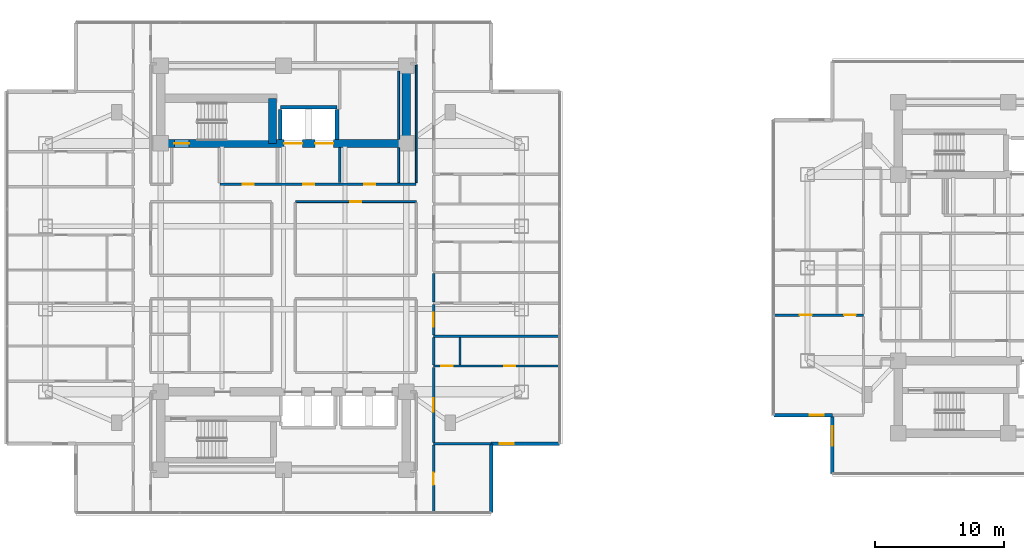
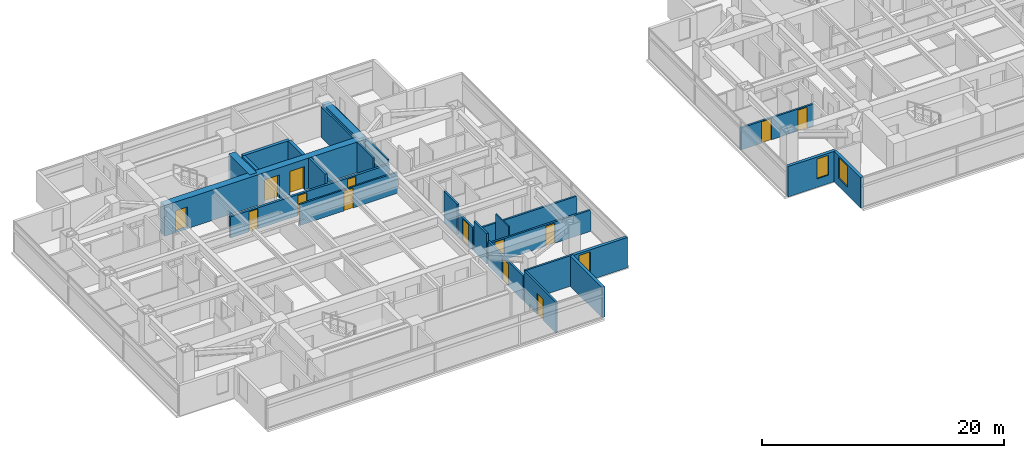
# One storey, part 14 of 24: 26 walls, 14 doors, 3 windows, 17 openings.
"""IFC4 building model written with IfcOpenShell, lengths in metres."""

from ifc_helpers import new_model, si_unit, direction, frame, frame_2d, origin, place, context, subcontext, project, spatial, rectangle, extrude, material, layer, layer_set, type_object, element, fill, save


model = new_model("IFC4")

# Units and contexts
model_context = context("Model", 3, precision=1e-05, world=origin(), true_north=direction((0.0, 1.0)))
body_context = subcontext(model_context, "Body", "Model", "MODEL_VIEW")
ifc_project = project(units=[si_unit("LENGTHUNIT", "METRE"), si_unit("AREAUNIT", "SQUARE_METRE"), si_unit("VOLUMEUNIT", "CUBIC_METRE"), si_unit("PLANEANGLEUNIT", "RADIAN"), si_unit("MASSUNIT", "GRAM", prefix="KILO")], contexts=[model_context])

# Site, building, storey
site_placement = place(None, origin())
site = spatial("IfcSite", under=ifc_project, at=site_placement, CompositionType="ELEMENT")
building_placement = place(site_placement, origin())
building = spatial("IfcBuilding", under=site, at=building_placement, Name="Mirazonda Arch Towers", CompositionType="ELEMENT")
storey_placement = place(building_placement, frame((0.0, 0.0, 101.60009765625)))
storey = spatial("IfcBuildingStorey", under=building, at=storey_placement, Name="L28", CompositionType="ELEMENT", Elevation=101.60009765625)

# Wall
ifc_material_1 = material(Name="Concrete C60/75", Category="concrete")
ifc_layer_1 = layer(ifc_material_1, 0.64990234375, Name="WALL-CORE-650")
ifc_layer_set_1 = layer_set([ifc_layer_1], Name="Concrete C60/75")
wall_type_1 = type_object("IfcWallType", Name="WALL-CORE-650", PredefinedType="SHEAR", material=ifc_layer_set_1)
wall_1_placement = place(storey_placement, frame((30.0, 37.60009765625, 0.0), z_axis=(0.0, 0.0, 1.0), x_axis=(0.0, 1.0, 0.0)))
element("IfcWall", 1, at=wall_1_placement, inside=storey, type_object=wall_type_1, Name="L28 T1N-E Core Shear Wall", PredefinedType="SHEAR", context=body_context, shape_type="SweptSolid", body=[
    extrude(rectangle(XDim=6.0, YDim=0.64990234375, at=frame_2d((3.0, 0.0))), origin(), (0.0, 0.0, 1.0), 3.079833984375),
])

# Wall, openings, doors
wall_2_placement = place(storey_placement, frame((11.0, 37.60009765625, 0.0), z_axis=(0.0, 0.0, 1.0), x_axis=(1.0, 0.0, 0.0)))
wall_2 = element("IfcWall", 2, at=wall_2_placement, inside=storey, type_object=wall_type_1, Name="L28 T1N-S Core Shear Wall", PredefinedType="SHEAR", context=body_context, shape_type="SweptSolid", body=[
    extrude(rectangle(XDim=19.0, YDim=0.64990234375, at=frame_2d((9.5, 0.0))), origin(), (0.0, 0.0, 1.0), 3.079833984375),
])
opening_1_placement = place(wall_2_placement, frame((1.06005859375, 0.0, 0.0)))
opening_1 = element("IfcOpeningElement", 3, at=opening_1_placement, cuts=wall_2, Name="Opening DR-135", PredefinedType="OPENING", context=body_context, shape_type="SweptSolid", body=[
    extrude(rectangle(XDim=1.14990234375, YDim=2.199951171875, at=frame_2d((0.574951171875, 1.10009765625))), frame((0.0, 0.3349609375, 0.0), z_axis=(0.0, -1.0, 0.0), x_axis=(1.0, 0.0, 0.0)), (0.0, 0.0, 1.0), 0.669921875),
])
opening_2_placement = place(wall_2_placement, frame((9.550048828125, 0.0, 0.0)))
opening_2 = element("IfcOpeningElement", 4, at=opening_2_placement, cuts=wall_2, Name="Opening LD-112", PredefinedType="OPENING", context=body_context, shape_type="SweptSolid", body=[
    extrude(rectangle(XDim=1.39990234375, YDim=2.35009765625, at=frame_2d((0.699951171875, 1.175048828125))), frame((0.0, 0.3349609375, 0.0), z_axis=(0.0, -1.0, 0.0), x_axis=(1.0, 0.0, 0.0)), (0.0, 0.0, 1.0), 0.669921875),
])
opening_3_placement = place(wall_2_placement, frame((11.949951171875, 0.0, 0.0)))
opening_3 = element("IfcOpeningElement", 5, at=opening_3_placement, cuts=wall_2, Name="Opening LD-112", PredefinedType="OPENING", context=body_context, shape_type="SweptSolid", body=[
    extrude(rectangle(XDim=1.39990234375, YDim=2.35009765625, at=frame_2d((0.699951171875, 1.175048828125))), frame((0.0, 0.3349609375, 0.0), z_axis=(0.0, -1.0, 0.0), x_axis=(1.0, 0.0, 0.0)), (0.0, 0.0, 1.0), 0.669921875),
])
ifc_material_2 = material(Name="Architectural Brushed Steel S355", Category="steel")
door_type_1 = type_object("IfcDoorType", Name="DOOR-LIFT-FFL-1400", OperationType="NOTDEFINED", PredefinedType="DOOR", material=ifc_material_2)
door_1_placement = place(opening_2_placement, origin())
door_1 = element("IfcDoor", 6, at=door_1_placement, inside=storey, type_object=door_type_1, Name="L28 Lift Landing Sliding Door FFL-T1", OperationType="DOUBLE_DOOR_SLIDING", OverallHeight=2.35009765625, OverallWidth=1.39990234375, PredefinedType="DOOR", context=body_context, shape_type="SweptSolid", body=[
    extrude(rectangle(XDim=1.39990234375, YDim=2.35009765625, at=frame_2d((0.699951171875, 1.175048828125))), frame((0.0, 0.02490234375, 0.0), z_axis=(0.0, -1.0, 0.0), x_axis=(1.0, 0.0, 0.0)), (0.0, 0.0, 1.0), 0.050048828125),
])
fill(opening_2, door_1)
door_2_placement = place(opening_3_placement, origin())
door_2 = element("IfcDoor", 7, at=door_2_placement, inside=storey, type_object=door_type_1, Name="L28 Lift Landing Sliding Door SVL-T1", OperationType="DOUBLE_DOOR_SLIDING", OverallHeight=2.35009765625, OverallWidth=1.39990234375, PredefinedType="DOOR", context=body_context, shape_type="SweptSolid", body=[
    extrude(rectangle(XDim=1.39990234375, YDim=2.35009765625, at=frame_2d((0.699951171875, 1.175048828125))), frame((0.0, 0.02490234375, 0.0), z_axis=(0.0, -1.0, 0.0), x_axis=(1.0, 0.0, 0.0)), (0.0, 0.0, 1.0), 0.050048828125),
])
fill(opening_3, door_2)
door_type_2 = type_object("IfcDoorType", Name="DOOR-STAIR-FD90-1150", OperationType="NOTDEFINED", PredefinedType="DOOR", material=ifc_material_2)
door_3_placement = place(opening_1_placement, origin())
door_3 = element("IfcDoor", 8, at=door_3_placement, inside=storey, type_object=door_type_2, Name="L28 Protected Exit Stair North Door", OperationType="SINGLE_SWING_LEFT", OverallHeight=2.199951171875, OverallWidth=1.14990234375, PredefinedType="DOOR", context=body_context, shape_type="SweptSolid", body=[
    extrude(rectangle(XDim=1.14990234375, YDim=2.199951171875, at=frame_2d((0.574951171875, 1.10009765625))), frame((0.0, 0.02490234375, 0.0), z_axis=(0.0, -1.0, 0.0), x_axis=(1.0, 0.0, 0.0)), (0.0, 0.0, 1.0), 0.050048828125),
])
fill(opening_1, door_3)

# Wall
wall_3_placement = place(storey_placement, frame((19.64990234375, 37.60009765625, 0.0), z_axis=(0.0, 0.0, 1.0), x_axis=(0.0, 1.0, 0.0)))
element("IfcWall", 9, at=wall_3_placement, inside=storey, type_object=wall_type_1, Name="L28 T1N-STE Core Shear Wall", PredefinedType="SHEAR", context=body_context, shape_type="SweptSolid", body=[
    extrude(rectangle(XDim=3.492919921875, YDim=0.64990234375, at=frame_2d((1.74658203125, 0.0))), origin(), (0.0, 0.0, 1.0), 3.079833984375),
])

# Wall, opening, window
ifc_material_3 = material(Name="Precast Concrete C40/50", Category="concrete")
ifc_layer_2 = layer(ifc_material_3, 0.280029296875, Name="WALL-EXT-WALL-280")
ifc_layer_set_2 = layer_set([ifc_layer_2], Name="Precast Concrete C40/50")
wall_type_2 = type_object("IfcWallType", Name="WALL-EXT-WALL-280", PredefinedType="SOLIDWALL", material=ifc_layer_set_2)
wall_4_placement = place(storey_placement, frame((36.544921875, 14.383056640625, 0.0), z_axis=(0.0, 0.0, 1.0), x_axis=(1.0, 0.0, 0.0)))
wall_4 = element("IfcWall", 10, at=wall_4_placement, inside=storey, type_object=wall_type_2, Name="L28 T1 Corner Notch Return Wall WL-L28-T1-CSE1", PredefinedType="SOLIDWALL", context=body_context, shape_type="SweptSolid", body=[
    extrude(rectangle(XDim=5.30517578125, YDim=0.280029296875, at=frame_2d((2.652587890625, 0.0))), origin(), (0.0, 0.0, 1.0), 3.059814453125),
])
opening_4_placement = place(wall_4_placement, frame((0.64990234375, 0.0, 0.85009765625)))
opening_4 = element("IfcOpeningElement", 11, at=opening_4_placement, cuts=wall_4, Name="Opening WN-108", PredefinedType="OPENING", context=body_context, shape_type="SweptSolid", body=[
    extrude(rectangle(XDim=1.10009765625, YDim=2.0, at=frame_2d((0.550048828125, 1.0))), frame((0.0, 0.14990234375, 0.0), z_axis=(0.0, -1.0, 0.0), x_axis=(1.0, 0.0, 0.0)), (0.0, 0.0, 1.0), 0.300048828125),
])
ifc_material_4 = material(Name="Insulated Low-E Solar Glass", Category="glass")
window_type_1 = type_object("IfcWindowType", Name="WIN-NOTCH-1100x2000", PartitioningType="SINGLE_PANEL", PredefinedType="WINDOW", material=ifc_material_4)
window_1_placement = place(opening_4_placement, origin())
window_1 = element("IfcWindow", 12, at=window_1_placement, inside=storey, type_object=window_type_1, Name="L28 Punched Facade Window WN-L28-T1-CSE1", OverallHeight=2.0, OverallWidth=1.10009765625, PartitioningType="SINGLE_PANEL", PredefinedType="WINDOW", context=body_context, shape_type="SweptSolid", body=[
    extrude(rectangle(XDim=1.10009765625, YDim=2.0, at=frame_2d((0.550048828125, 1.0))), frame((0.0, 0.030029296875, 0.0), z_axis=(0.0, -1.0, 0.0), x_axis=(1.0, 0.0, 0.0)), (0.0, 0.0, 1.0), 0.06005859375),
])
fill(opening_4, window_1)

# Wall
wall_5_placement = place(storey_placement, frame((36.544921875, 9.077880859375, 0.0), z_axis=(0.0, 0.0, 1.0), x_axis=(0.0, 1.0, 0.0)))
element("IfcWall", 13, at=wall_5_placement, inside=storey, type_object=wall_type_2, Name="L28 T1 Corner Notch Return Wall WL-L28-T1-CSE2", PredefinedType="SOLIDWALL", context=body_context, shape_type="SweptSolid", body=[
    extrude(rectangle(XDim=5.30517578125, YDim=0.280029296875, at=frame_2d((2.652587890625, 0.0))), origin(), (0.0, 0.0, 1.0), 3.059814453125),
])

# Wall, opening, window
wall_6_placement = place(storey_placement, frame((62.921875, 16.585693359375, 0.0), z_axis=(0.0, 0.0, 1.0), x_axis=(0.0, -1.0, 0.0)))
wall_6 = element("IfcWall", 14, at=wall_6_placement, inside=storey, type_object=wall_type_2, Name="L28 T2 Notched SW Corner Wall WL-L28-T2-CSW", PredefinedType="SOLIDWALL", context=body_context, shape_type="SweptSolid", body=[
    extrude(rectangle(XDim=4.516357421875, YDim=0.280029296875, at=frame_2d((2.25830078125, 0.0))), origin(), (0.0, 0.0, 1.0), 3.059814453125),
])
opening_5_placement = place(wall_6_placement, frame((0.85009765625, 0.0, 0.81005859375)))
opening_5 = element("IfcOpeningElement", 15, at=opening_5_placement, cuts=wall_6, Name="Opening WN-120", PredefinedType="OPENING", context=body_context, shape_type="SweptSolid", body=[
    extrude(rectangle(XDim=1.5, YDim=2.10009765625, at=frame_2d((0.75, 1.050048828125))), frame((0.0, 0.14990234375, 0.0), z_axis=(0.0, -1.0, 0.0), x_axis=(1.0, 0.0, 0.0)), (0.0, 0.0, 1.0), 0.300048828125),
])
window_type_2 = type_object("IfcWindowType", Name="WIN-HTL-1500x2100", PartitioningType="SINGLE_PANEL", PredefinedType="WINDOW", material=ifc_material_4)
window_2_placement = place(opening_5_placement, origin())
window_2 = element("IfcWindow", 16, at=window_2_placement, inside=storey, type_object=window_type_2, Name="L28 Punched Facade Window WN-L28-T2-CSW", OverallHeight=2.10009765625, OverallWidth=1.5, PartitioningType="SINGLE_PANEL", PredefinedType="WINDOW", context=body_context, shape_type="SweptSolid", body=[
    extrude(rectangle(XDim=1.5, YDim=2.10009765625, at=frame_2d((0.75, 1.050048828125))), frame((0.0, 0.030029296875, 0.0), z_axis=(0.0, -1.0, 0.0), x_axis=(1.0, 0.0, 0.0)), (0.0, 0.0, 1.0), 0.06005859375),
])
fill(opening_5, window_2)

wall_7_placement = place(storey_placement, frame((58.405517578125, 16.585693359375, 0.0), z_axis=(0.0, 0.0, 1.0), x_axis=(1.0, 0.0, 0.0)))
wall_7 = element("IfcWall", 17, at=wall_7_placement, inside=storey, type_object=wall_type_2, Name="L28 T2 Corner Notch Return Wall WL-L28-T2-CSW2", PredefinedType="SOLIDWALL", context=body_context, shape_type="SweptSolid", body=[
    extrude(rectangle(XDim=4.516357421875, YDim=0.280029296875, at=frame_2d((2.25830078125, 0.0))), origin(), (0.0, 0.0, 1.0), 3.059814453125),
])
opening_6_placement = place(wall_7_placement, frame((2.76611328125, 0.0, 0.85009765625)))
opening_6 = element("IfcOpeningElement", 18, at=opening_6_placement, cuts=wall_7, Name="Opening WN-108", PredefinedType="OPENING", context=body_context, shape_type="SweptSolid", body=[
    extrude(rectangle(XDim=1.10009765625, YDim=2.0, at=frame_2d((0.550048828125, 1.0))), frame((0.0, 0.14990234375, 0.0), z_axis=(0.0, -1.0, 0.0), x_axis=(1.0, 0.0, 0.0)), (0.0, 0.0, 1.0), 0.300048828125),
])
window_3_placement = place(opening_6_placement, origin())
window_3 = element("IfcWindow", 19, at=window_3_placement, inside=storey, type_object=window_type_1, Name="L28 Punched Facade Window WN-L28-T2-CSW2", OverallHeight=2.0, OverallWidth=1.10009765625, PartitioningType="SINGLE_PANEL", PredefinedType="WINDOW", context=body_context, shape_type="SweptSolid", body=[
    extrude(rectangle(XDim=1.10009765625, YDim=2.0, at=frame_2d((0.550048828125, 1.0))), frame((0.0, 0.030029296875, 0.0), z_axis=(0.0, -1.0, 0.0), x_axis=(1.0, 0.0, 0.0)), (0.0, 0.0, 1.0), 0.06005859375),
])
fill(opening_6, window_3)

# Wall, openings, doors
ifc_material_5 = material(Name="Concrete C40/50", Category="concrete")
ifc_layer_3 = layer(ifc_material_5, 0.219970703125, Name="WALL-FFL-220")
ifc_layer_set_3 = layer_set([ifc_layer_3], Name="Concrete C40/50")
wall_type_3 = type_object("IfcWallType", Name="WALL-FFL-220", PredefinedType="SOLIDWALL", material=ifc_layer_set_3)
wall_8_placement = place(storey_placement, frame((15.590087890625, 34.449951171875, 0.0), z_axis=(0.0, 0.0, 1.0), x_axis=(1.0, 0.0, 0.0)))
wall_8 = element("IfcWall", 20, at=wall_8_placement, inside=storey, type_object=wall_type_3, Name="L28 Interior Partition 053", PredefinedType="SOLIDWALL", context=body_context, shape_type="SweptSolid", body=[
    extrude(rectangle(XDim=15.169921875, YDim=0.219970703125, at=frame_2d((7.5849609375, 0.0))), origin(), (0.0, 0.0, 1.0), 2.1240234375),
])
opening_7_placement = place(wall_8_placement, frame((6.43505859375, 0.0, 0.0)))
opening_7 = element("IfcOpeningElement", 21, at=opening_7_placement, cuts=wall_8, Name="Opening DR-128", PredefinedType="OPENING", context=body_context, shape_type="SweptSolid", body=[
    extrude(rectangle(XDim=0.85009765625, YDim=2.010009765625, at=frame_2d((0.425048828125, 1.0048828125))), frame((0.0, 0.119873046875, 0.0), z_axis=(0.0, -1.0, 0.0), x_axis=(1.0, 0.0, 0.0)), (0.0, 0.0, 1.0), 0.239990234375),
])
opening_8_placement = place(wall_8_placement, frame((11.135009765625, 0.0, 0.0)))
opening_8 = element("IfcOpeningElement", 22, at=opening_8_placement, cuts=wall_8, Name="Opening DR-128", PredefinedType="OPENING", context=body_context, shape_type="SweptSolid", body=[
    extrude(rectangle(XDim=0.85009765625, YDim=2.010009765625, at=frame_2d((0.425048828125, 1.0048828125))), frame((0.0, 0.119873046875, 0.0), z_axis=(0.0, -1.0, 0.0), x_axis=(1.0, 0.0, 0.0)), (0.0, 0.0, 1.0), 0.239990234375),
])
opening_9_placement = place(wall_8_placement, frame((1.77490234375, 0.0, 0.0)))
opening_9 = element("IfcOpeningElement", 23, at=opening_9_placement, cuts=wall_8, Name="Opening DR-128", PredefinedType="OPENING", context=body_context, shape_type="SweptSolid", body=[
    extrude(rectangle(XDim=0.85009765625, YDim=2.010009765625, at=frame_2d((0.425048828125, 1.0048828125))), frame((0.0, 0.119873046875, 0.0), z_axis=(0.0, -1.0, 0.0), x_axis=(1.0, 0.0, 0.0)), (0.0, 0.0, 1.0), 0.239990234375),
])
door_type_3 = type_object("IfcDoorType", Name="DOOR-RISER-FD60-850", OperationType="NOTDEFINED", PredefinedType="DOOR", material=ifc_material_2)
door_4_placement = place(opening_7_placement, origin())
door_4 = element("IfcDoor", 24, at=door_4_placement, inside=storey, type_object=door_type_3, Name="L28 Firefighting Lift Lobby Door", OperationType="SINGLE_SWING_RIGHT", OverallHeight=2.010009765625, OverallWidth=0.85009765625, PredefinedType="DOOR", context=body_context, shape_type="SweptSolid", body=[
    extrude(rectangle(XDim=0.85009765625, YDim=2.010009765625, at=frame_2d((0.425048828125, 1.0048828125))), frame((0.0, 0.02490234375, 0.0), z_axis=(0.0, -1.0, 0.0), x_axis=(1.0, 0.0, 0.0)), (0.0, 0.0, 1.0), 0.050048828125),
])
fill(opening_7, door_4)
door_5_placement = place(opening_8_placement, origin())
door_5 = element("IfcDoor", 25, at=door_5_placement, inside=storey, type_object=door_type_3, Name="L28 Executive Reading Library Door", OperationType="SINGLE_SWING_LEFT", OverallHeight=2.010009765625, OverallWidth=0.85009765625, PredefinedType="DOOR", context=body_context, shape_type="SweptSolid", body=[
    extrude(rectangle(XDim=0.85009765625, YDim=2.010009765625, at=frame_2d((0.425048828125, 1.0048828125))), frame((0.0, 0.02490234375, 0.0), z_axis=(0.0, -1.0, 0.0), x_axis=(1.0, 0.0, 0.0)), (0.0, 0.0, 1.0), 0.050048828125),
])
fill(opening_8, door_5)
door_6_placement = place(opening_9_placement, origin())
door_6 = element("IfcDoor", 26, at=door_6_placement, inside=storey, type_object=door_type_3, Name="L28 Housekeeping Linen Room Door", OperationType="SINGLE_SWING_RIGHT", OverallHeight=2.010009765625, OverallWidth=0.85009765625, PredefinedType="DOOR", context=body_context, shape_type="SweptSolid", body=[
    extrude(rectangle(XDim=0.85009765625, YDim=2.010009765625, at=frame_2d((0.425048828125, 1.0048828125))), frame((0.0, 0.02490234375, 0.0), z_axis=(0.0, -1.0, 0.0), x_axis=(1.0, 0.0, 0.0)), (0.0, 0.0, 1.0), 0.050048828125),
])
fill(opening_9, door_6)

# Wall
wall_9_placement = place(storey_placement, frame((24.85009765625, 34.570068359375, 0.0), z_axis=(0.0, 0.0, 1.0), x_axis=(0.0, 1.0, 0.0)))
element("IfcWall", 27, at=wall_9_placement, inside=storey, type_object=wall_type_3, Name="L28 Interior Partition 106", PredefinedType="SOLIDWALL", context=body_context, shape_type="SweptSolid", body=[
    extrude(rectangle(XDim=2.7099609375, YDim=0.219970703125, at=frame_2d((1.35498046875, 0.0))), origin(), (0.0, 0.0, 1.0), 3.079833984375),
])

# Wall, opening, door
ifc_material_6 = material(Name="Fire-Rated Gypsum Stud Partition")
ifc_layer_4 = layer(ifc_material_6, 0.14990234375, Name="WALL-PART-CORR-150")
ifc_layer_set_4 = layer_set([ifc_layer_4], Name="Fire-Rated Gypsum Stud Partition")
wall_type_4 = type_object("IfcWallType", Name="WALL-PART-CORR-150", PredefinedType="PARTITIONING", material=ifc_layer_set_4)
wall_10_placement = place(storey_placement, frame((21.43994140625, 33.10009765625, 0.0), z_axis=(0.0, 0.0, 1.0), x_axis=(1.0, 0.0, 0.0)))
wall_10 = element("IfcWall", 28, at=wall_10_placement, inside=storey, type_object=wall_type_4, Name="L28 Interior Partition 049", PredefinedType="PARTITIONING", context=body_context, shape_type="SweptSolid", body=[
    extrude(rectangle(XDim=9.320068359375, YDim=0.14990234375, at=frame_2d((4.66015625, 0.0))), origin(), (0.0, 0.0, 1.0), 2.1240234375),
])
opening_10_placement = place(wall_10_placement, frame((4.235107421875, 0.0, 0.0)))
opening_10 = element("IfcOpeningElement", 29, at=opening_10_placement, cuts=wall_10, Name="Opening DR-128", PredefinedType="OPENING", context=body_context, shape_type="SweptSolid", body=[
    extrude(rectangle(XDim=0.85009765625, YDim=2.010009765625, at=frame_2d((0.425048828125, 1.0048828125))), frame((0.0, 0.0849609375, 0.0), z_axis=(0.0, -1.0, 0.0), x_axis=(1.0, 0.0, 0.0)), (0.0, 0.0, 1.0), 0.169921875),
])
door_7_placement = place(opening_10_placement, origin())
door_7 = element("IfcDoor", 30, at=door_7_placement, inside=storey, type_object=door_type_3, Name="L28 L28 North-East Cruciform Study Door", OperationType="SINGLE_SWING_LEFT", OverallHeight=2.010009765625, OverallWidth=0.85009765625, PredefinedType="DOOR", context=body_context, shape_type="SweptSolid", body=[
    extrude(rectangle(XDim=0.85009765625, YDim=2.010009765625, at=frame_2d((0.425048828125, 1.0048828125))), frame((0.0, 0.02490234375, 0.0), z_axis=(0.0, -1.0, 0.0), x_axis=(1.0, 0.0, 0.0)), (0.0, 0.0, 1.0), 0.050048828125),
])
fill(opening_10, door_7)

# Walls
wall_11_placement = place(storey_placement, frame((29.39990234375, 34.570068359375, 0.0), z_axis=(0.0, 0.0, 1.0), x_axis=(0.0, 1.0, 0.0)))
element("IfcWall", 31, at=wall_11_placement, inside=storey, type_object=wall_type_4, Name="L28 Interior Partition 109", PredefinedType="PARTITIONING", context=body_context, shape_type="SweptSolid", body=[
    extrude(rectangle(XDim=2.7099609375, YDim=0.14990234375, at=frame_2d((1.35498046875, 0.0))), origin(), (0.0, 0.0, 1.0), 3.079833984375),
])
wall_12_placement = place(storey_placement, frame((29.39990234375, 37.919921875, 0.0), z_axis=(0.0, 0.0, 1.0), x_axis=(0.0, 1.0, 0.0)))
element("IfcWall", 32, at=wall_12_placement, inside=storey, type_object=wall_type_4, Name="L28 Interior Partition 110", PredefinedType="PARTITIONING", context=body_context, shape_type="SweptSolid", body=[
    extrude(rectangle(XDim=5.280029296875, YDim=0.14990234375, at=frame_2d((2.64013671875, 0.0))), origin(), (0.0, 0.0, 1.0), 3.079833984375),
])
wall_13_placement = place(storey_placement, frame((30.760009765625, 34.570068359375, 0.0), z_axis=(0.0, 0.0, 1.0), x_axis=(0.0, 1.0, 0.0)))
element("IfcWall", 33, at=wall_13_placement, inside=storey, type_object=wall_type_4, Name="L28 Interior Partition 115", PredefinedType="PARTITIONING", context=body_context, shape_type="SweptSolid", body=[
    extrude(rectangle(XDim=9.094970703125, YDim=0.14990234375, at=frame_2d((4.54736328125, 0.0))), origin(), (0.0, 0.0, 1.0), 2.455810546875),
])
ifc_material_7 = material(Name="Fire-Rated Gypsum Twin-Stud Assembly")
ifc_layer_5 = layer(ifc_material_7, 0.179931640625, Name="WALL-PART-DEMISE-180")
ifc_layer_set_5 = layer_set([ifc_layer_5], Name="Fire-Rated Gypsum Twin-Stud Assembly")
wall_type_5 = type_object("IfcWallType", Name="WALL-PART-DEMISE-180", PredefinedType="PARTITIONING", material=ifc_layer_set_5)
wall_14_placement = place(storey_placement, frame((32.10009765625, 14.383056640625, 0.0), z_axis=(0.0, 0.0, 1.0), x_axis=(1.0, 0.0, 0.0)))
element("IfcWall", 34, at=wall_14_placement, inside=storey, type_object=wall_type_5, Name="L28 Interior Partition 005", PredefinedType="PARTITIONING", context=body_context, shape_type="SweptSolid", body=[
    extrude(rectangle(XDim=4.4248046875, YDim=0.179931640625, at=frame_2d((2.21240234375, 0.0))), origin(), (0.0, 0.0, 1.0), 3.079833984375),
])

# Wall, openings, doors
wall_15_placement = place(storey_placement, frame((32.10009765625, 20.39794921875, 0.0), z_axis=(0.0, 0.0, 1.0), x_axis=(1.0, 0.0, 0.0)))
wall_15 = element("IfcWall", 35, at=wall_15_placement, inside=storey, type_object=wall_type_5, Name="L28 Interior Partition 020", PredefinedType="PARTITIONING", context=body_context, shape_type="SweptSolid", body=[
    extrude(rectangle(XDim=9.75, YDim=0.179931640625, at=frame_2d((4.875, 0.0))), origin(), (0.0, 0.0, 1.0), 2.14501953125),
])
opening_11_placement = place(wall_15_placement, frame((5.449951171875, 0.0, 0.0)))
opening_11 = element("IfcOpeningElement", 36, at=opening_11_placement, cuts=wall_15, Name="Opening DR-128", PredefinedType="OPENING", context=body_context, shape_type="SweptSolid", body=[
    extrude(rectangle(XDim=0.85009765625, YDim=2.010009765625, at=frame_2d((0.425048828125, 1.0048828125))), frame((0.0, 0.099853515625, 0.0), z_axis=(0.0, -1.0, 0.0), x_axis=(1.0, 0.0, 0.0)), (0.0, 0.0, 1.0), 0.199951171875),
])
opening_12_placement = place(wall_15_placement, frame((0.590087890625, 0.0, 0.0)))
opening_12 = element("IfcOpeningElement", 37, at=opening_12_placement, cuts=wall_15, Name="Opening DR-120", PredefinedType="OPENING", context=body_context, shape_type="SweptSolid", body=[
    extrude(rectangle(XDim=0.89990234375, YDim=2.10009765625, at=frame_2d((0.449951171875, 1.050048828125))), frame((0.0, 0.099853515625, 0.0), z_axis=(0.0, -1.0, 0.0), x_axis=(1.0, 0.0, 0.0)), (0.0, 0.0, 1.0), 0.199951171875),
])
door_8_placement = place(opening_11_placement, origin())
door_8 = element("IfcDoor", 38, at=door_8_placement, inside=storey, type_object=door_type_3, Name="L28 Guestroom Study 1 Door", OperationType="SINGLE_SWING_LEFT", OverallHeight=2.010009765625, OverallWidth=0.85009765625, PredefinedType="DOOR", context=body_context, shape_type="SweptSolid", body=[
    extrude(rectangle(XDim=0.85009765625, YDim=2.010009765625, at=frame_2d((0.425048828125, 1.0048828125))), frame((0.0, 0.02490234375, 0.0), z_axis=(0.0, -1.0, 0.0), x_axis=(1.0, 0.0, 0.0)), (0.0, 0.0, 1.0), 0.050048828125),
])
fill(opening_11, door_8)
door_type_4 = type_object("IfcDoorType", Name="DOOR-WC-900", OperationType="NOTDEFINED", PredefinedType="DOOR", material=ifc_material_2)
door_9_placement = place(opening_12_placement, origin())
door_9 = element("IfcDoor", 39, at=door_9_placement, inside=storey, type_object=door_type_4, Name="L28 En-Suite Bathroom 1 Door", OperationType="SINGLE_SWING_RIGHT", OverallHeight=2.10009765625, OverallWidth=0.89990234375, PredefinedType="DOOR", context=body_context, shape_type="SweptSolid", body=[
    extrude(rectangle(XDim=0.89990234375, YDim=2.10009765625, at=frame_2d((0.449951171875, 1.050048828125))), frame((0.0, 0.02490234375, 0.0), z_axis=(0.0, -1.0, 0.0), x_axis=(1.0, 0.0, 0.0)), (0.0, 0.0, 1.0), 0.050048828125),
])
fill(opening_12, door_9)

# Wall
wall_16_placement = place(storey_placement, frame((32.10009765625, 22.697998046875, 0.0), z_axis=(0.0, 0.0, 1.0), x_axis=(1.0, 0.0, 0.0)))
element("IfcWall", 40, at=wall_16_placement, inside=storey, type_object=wall_type_5, Name="L28 Interior Partition 025", PredefinedType="PARTITIONING", context=body_context, shape_type="SweptSolid", body=[
    extrude(rectangle(XDim=9.75, YDim=0.179931640625, at=frame_2d((4.875, 0.0))), origin(), (0.0, 0.0, 1.0), 2.14501953125),
])

# Wall, openings, doors
wall_17_placement = place(storey_placement, frame((58.405029296875, 24.33203125, 0.0), z_axis=(0.0, 0.0, 1.0), x_axis=(1.0, 0.0, 0.0)))
wall_17 = element("IfcWall", 41, at=wall_17_placement, inside=storey, type_object=wall_type_5, Name="L28 Interior Partition 027", PredefinedType="PARTITIONING", context=body_context, shape_type="SweptSolid", body=[
    extrude(rectangle(XDim=6.9150390625, YDim=0.179931640625, at=frame_2d((3.45751953125, 0.0))), origin(), (0.0, 0.0, 1.0), 2.2158203125),
])
opening_13_placement = place(wall_17_placement, frame((1.982421875, 0.0, 0.0)))
opening_13 = element("IfcOpeningElement", 42, at=opening_13_placement, cuts=wall_17, Name="Opening DR-104", PredefinedType="OPENING", context=body_context, shape_type="SweptSolid", body=[
    extrude(rectangle(XDim=0.949951171875, YDim=2.14990234375, at=frame_2d((0.47509765625, 1.074951171875))), frame((0.0, 0.099853515625, 0.0), z_axis=(0.0, -1.0, 0.0), x_axis=(1.0, 0.0, 0.0)), (0.0, 0.0, 1.0), 0.199951171875),
])
opening_14_placement = place(wall_17_placement, frame((5.425048828125, 0.0, 0.0)))
opening_14 = element("IfcOpeningElement", 43, at=opening_14_placement, cuts=wall_17, Name="Opening DR-120", PredefinedType="OPENING", context=body_context, shape_type="SweptSolid", body=[
    extrude(rectangle(XDim=0.89990234375, YDim=2.10009765625, at=frame_2d((0.449951171875, 1.050048828125))), frame((0.0, 0.099853515625, 0.0), z_axis=(0.0, -1.0, 0.0), x_axis=(1.0, 0.0, 0.0)), (0.0, 0.0, 1.0), 0.199951171875),
])
door_type_5 = type_object("IfcDoorType", Name="DOOR-ROOM-950", OperationType="NOTDEFINED", PredefinedType="DOOR", material=ifc_material_2)
door_10_placement = place(opening_13_placement, origin())
door_10 = element("IfcDoor", 44, at=door_10_placement, inside=storey, type_object=door_type_5, Name="L28 Suite Bedroom 1 Door", OperationType="SINGLE_SWING_LEFT", OverallHeight=2.14990234375, OverallWidth=0.949951171875, PredefinedType="DOOR", context=body_context, shape_type="SweptSolid", body=[
    extrude(rectangle(XDim=0.949951171875, YDim=2.14990234375, at=frame_2d((0.47509765625, 1.074951171875))), frame((0.0, 0.02490234375, 0.0), z_axis=(0.0, -1.0, 0.0), x_axis=(1.0, 0.0, 0.0)), (0.0, 0.0, 1.0), 0.050048828125),
])
fill(opening_13, door_10)
door_11_placement = place(opening_14_placement, origin())
door_11 = element("IfcDoor", 45, at=door_11_placement, inside=storey, type_object=door_type_4, Name="L28 Suite En-Suite Bathroom 1 Door", OperationType="SINGLE_SWING_RIGHT", OverallHeight=2.10009765625, OverallWidth=0.89990234375, PredefinedType="DOOR", context=body_context, shape_type="SweptSolid", body=[
    extrude(rectangle(XDim=0.89990234375, YDim=2.10009765625, at=frame_2d((0.449951171875, 1.050048828125))), frame((0.0, 0.02490234375, 0.0), z_axis=(0.0, -1.0, 0.0), x_axis=(1.0, 0.0, 0.0)), (0.0, 0.0, 1.0), 0.050048828125),
])
fill(opening_14, door_11)

# Wall, opening, door
wall_18_placement = place(storey_placement, frame((32.10009765625, 9.077880859375, 0.0), z_axis=(0.0, 0.0, 1.0), x_axis=(0.0, 1.0, 0.0)))
wall_18 = element("IfcWall", 46, at=wall_18_placement, inside=storey, type_object=wall_type_5, Name="L28 Interior Partition 117", PredefinedType="PARTITIONING", context=body_context, shape_type="SweptSolid", body=[
    extrude(rectangle(XDim=5.205078125, YDim=0.179931640625, at=frame_2d((2.6025390625, 0.0))), origin(), (0.0, 0.0, 1.0), 3.079833984375),
])
opening_15_placement = place(wall_18_placement, frame((2.12744140625, 0.0, 0.0)))
opening_15 = element("IfcOpeningElement", 47, at=opening_15_placement, cuts=wall_18, Name="Opening DR-104", PredefinedType="OPENING", context=body_context, shape_type="SweptSolid", body=[
    extrude(rectangle(XDim=0.949951171875, YDim=2.14990234375, at=frame_2d((0.47509765625, 1.074951171875))), frame((0.0, 0.099853515625, 0.0), z_axis=(0.0, -1.0, 0.0), x_axis=(1.0, 0.0, 0.0)), (0.0, 0.0, 1.0), 0.199951171875),
])
door_12_placement = place(opening_15_placement, origin())
door_12 = element("IfcDoor", 48, at=door_12_placement, inside=storey, type_object=door_type_5, Name="L28 South Horizon Lounge Alcove East Door", OperationType="SINGLE_SWING_LEFT", OverallHeight=2.14990234375, OverallWidth=0.949951171875, PredefinedType="DOOR", context=body_context, shape_type="SweptSolid", body=[
    extrude(rectangle(XDim=0.949951171875, YDim=2.14990234375, at=frame_2d((0.47509765625, 1.074951171875))), frame((0.0, 0.02490234375, 0.0), z_axis=(0.0, -1.0, 0.0), x_axis=(1.0, 0.0, 0.0)), (0.0, 0.0, 1.0), 0.050048828125),
])
fill(opening_15, door_12)

wall_19_placement = place(storey_placement, frame((32.10009765625, 14.48291015625, 0.0), z_axis=(0.0, 0.0, 1.0), x_axis=(0.0, 1.0, 0.0)))
wall_19 = element("IfcWall", 49, at=wall_19_placement, inside=storey, type_object=wall_type_5, Name="L28 Interior Partition 118", PredefinedType="PARTITIONING", context=body_context, shape_type="SweptSolid", body=[
    extrude(rectangle(XDim=5.815185546875, YDim=0.179931640625, at=frame_2d((2.90771484375, 0.0))), origin(), (0.0, 0.0, 1.0), 2.455810546875),
])
opening_16_placement = place(wall_19_placement, frame((2.382568359375, 0.0, 0.0)))
opening_16 = element("IfcOpeningElement", 50, at=opening_16_placement, cuts=wall_19, Name="Opening DR-121", PredefinedType="OPENING", context=body_context, shape_type="SweptSolid", body=[
    extrude(rectangle(XDim=1.050048828125, YDim=2.199951171875, at=frame_2d((0.52490234375, 1.10009765625))), frame((0.0, 0.099853515625, 0.0), z_axis=(0.0, -1.0, 0.0), x_axis=(1.0, 0.0, 0.0)), (0.0, 0.0, 1.0), 0.199951171875),
])
door_type_6 = type_object("IfcDoorType", Name="DOOR-SUITE-FD60-1050", OperationType="NOTDEFINED", PredefinedType="DOOR", material=ifc_material_2)
door_13_placement = place(opening_16_placement, origin())
door_13 = element("IfcDoor", 51, at=door_13_placement, inside=storey, type_object=door_type_6, Name="L28 King Hotel Guestroom 1 Door", OperationType="SINGLE_SWING_RIGHT", OverallHeight=2.199951171875, OverallWidth=1.050048828125, PredefinedType="DOOR", context=body_context, shape_type="SweptSolid", body=[
    extrude(rectangle(XDim=1.050048828125, YDim=2.199951171875, at=frame_2d((0.52490234375, 1.10009765625))), frame((0.0, 0.02490234375, 0.0), z_axis=(0.0, -1.0, 0.0), x_axis=(1.0, 0.0, 0.0)), (0.0, 0.0, 1.0), 0.050048828125),
])
fill(opening_16, door_13)

# Wall
wall_20_placement = place(storey_placement, frame((32.10009765625, 20.498046875, 0.0), z_axis=(0.0, 0.0, 1.0), x_axis=(0.0, 1.0, 0.0)))
element("IfcWall", 52, at=wall_20_placement, inside=storey, type_object=wall_type_5, Name="L28 Interior Partition 119", PredefinedType="PARTITIONING", context=body_context, shape_type="SweptSolid", body=[
    extrude(rectangle(XDim=2.099853515625, YDim=0.179931640625, at=frame_2d((1.0498046875, 0.0))), origin(), (0.0, 0.0, 1.0), 3.079833984375),
])

# Wall, opening, door
wall_21_placement = place(storey_placement, frame((32.10009765625, 22.798095703125, 0.0), z_axis=(0.0, 0.0, 1.0), x_axis=(0.0, 1.0, 0.0)))
wall_21 = element("IfcWall", 53, at=wall_21_placement, inside=storey, type_object=wall_type_5, Name="L28 Interior Partition 120", PredefinedType="PARTITIONING", context=body_context, shape_type="SweptSolid", body=[
    extrude(rectangle(XDim=2.352783203125, YDim=0.179931640625, at=frame_2d((1.17626953125, 0.0))), origin(), (0.0, 0.0, 1.0), 2.298828125),
])
opening_17_placement = place(wall_21_placement, frame((0.651611328125, 0.0, 0.0)))
opening_17 = element("IfcOpeningElement", 54, at=opening_17_placement, cuts=wall_21, Name="Opening DR-121", PredefinedType="OPENING", context=body_context, shape_type="SweptSolid", body=[
    extrude(rectangle(XDim=1.050048828125, YDim=2.199951171875, at=frame_2d((0.52490234375, 1.10009765625))), frame((0.0, 0.099853515625, 0.0), z_axis=(0.0, -1.0, 0.0), x_axis=(1.0, 0.0, 0.0)), (0.0, 0.0, 1.0), 0.199951171875),
])
door_14_placement = place(opening_17_placement, origin())
door_14 = element("IfcDoor", 55, at=door_14_placement, inside=storey, type_object=door_type_6, Name="L28 Twin Hotel Guestroom 2 Door", OperationType="SINGLE_SWING_LEFT", OverallHeight=2.199951171875, OverallWidth=1.050048828125, PredefinedType="DOOR", context=body_context, shape_type="SweptSolid", body=[
    extrude(rectangle(XDim=1.050048828125, YDim=2.199951171875, at=frame_2d((0.52490234375, 1.10009765625))), frame((0.0, 0.02490234375, 0.0), z_axis=(0.0, -1.0, 0.0), x_axis=(1.0, 0.0, 0.0)), (0.0, 0.0, 1.0), 0.050048828125),
])
fill(opening_17, door_14)

# Walls
wall_22_placement = place(storey_placement, frame((32.10009765625, 25.35107421875, 0.0), z_axis=(0.0, 0.0, 1.0), x_axis=(0.0, 1.0, 0.0)))
element("IfcWall", 56, at=wall_22_placement, inside=storey, type_object=wall_type_5, Name="L28 Interior Partition 121", PredefinedType="PARTITIONING", context=body_context, shape_type="SweptSolid", body=[
    extrude(rectangle(XDim=2.197509765625, YDim=0.179931640625, at=frame_2d((1.0986328125, 0.0))), origin(), (0.0, 0.0, 1.0), 3.079833984375),
])
ifc_material_8 = material(Name="Acoustic Fire-Rated Gypsum Partition")
ifc_layer_6 = layer(ifc_material_8, 0.125, Name="WALL-PART-UNIT-125")
ifc_layer_set_6 = layer_set([ifc_layer_6], Name="Acoustic Fire-Rated Gypsum Partition")
wall_type_6 = type_object("IfcWallType", Name="WALL-PART-UNIT-125", PredefinedType="PARTITIONING", material=ifc_layer_set_6)
wall_23_placement = place(storey_placement, frame((34.139892578125, 20.498046875, 0.0), z_axis=(0.0, 0.0, 1.0), x_axis=(0.0, 1.0, 0.0)))
element("IfcWall", 57, at=wall_23_placement, inside=storey, type_object=wall_type_6, Name="L28 Interior Partition 127", PredefinedType="PARTITIONING", context=body_context, shape_type="SweptSolid", body=[
    extrude(rectangle(XDim=2.099853515625, YDim=0.125, at=frame_2d((1.0498046875, 0.0))), origin(), (0.0, 0.0, 1.0), 3.079833984375),
])
ifc_material_9 = material(Name="Concrete C50/60", Category="concrete")
ifc_layer_7 = layer(ifc_material_9, 0.300048828125, Name="WALL-SHAFT-300")
ifc_layer_set_7 = layer_set([ifc_layer_7], Name="Concrete C50/60")
wall_type_7 = type_object("IfcWallType", Name="WALL-SHAFT-300", PredefinedType="SOLIDWALL", material=ifc_layer_set_7)
wall_24_placement = place(storey_placement, frame((20.25, 40.39990234375, 0.0), z_axis=(0.0, 0.0, 1.0), x_axis=(1.0, 0.0, 0.0)))
element("IfcWall", 58, at=wall_24_placement, inside=storey, type_object=wall_type_7, Name="L28 Interior Partition 062", PredefinedType="SOLIDWALL", context=body_context, shape_type="SweptSolid", body=[
    extrude(rectangle(XDim=4.39990234375, YDim=0.300048828125, at=frame_2d((2.199951171875, 0.0))), origin(), (0.0, 0.0, 1.0), 3.079833984375),
])
for number, where, z_axis, x_axis, name in (
    (59, (20.25, 37.919921875, 0.0), (0.0, 0.0, 1.0), (0.0, 1.0, 0.0), "L28 Interior Partition 098"),
    (60, (24.64990234375, 37.919921875, 0.0), (0.0, 0.0, 1.0), (0.0, 1.0, 0.0), "L28 Interior Partition 104"),
):
    element("IfcWall", number, at=place(storey_placement, frame(where, z_axis=z_axis, x_axis=x_axis)), inside=storey, type_object=wall_type_7, Name=name, PredefinedType="SOLIDWALL", context=body_context, shape_type="SweptSolid", body=[
        extrude(rectangle(XDim=2.320068359375, YDim=0.300048828125, at=frame_2d((1.16015625, 0.0))), origin(), (0.0, 0.0, 1.0), 3.079833984375),
    ])

save(model, "model.ifc")
